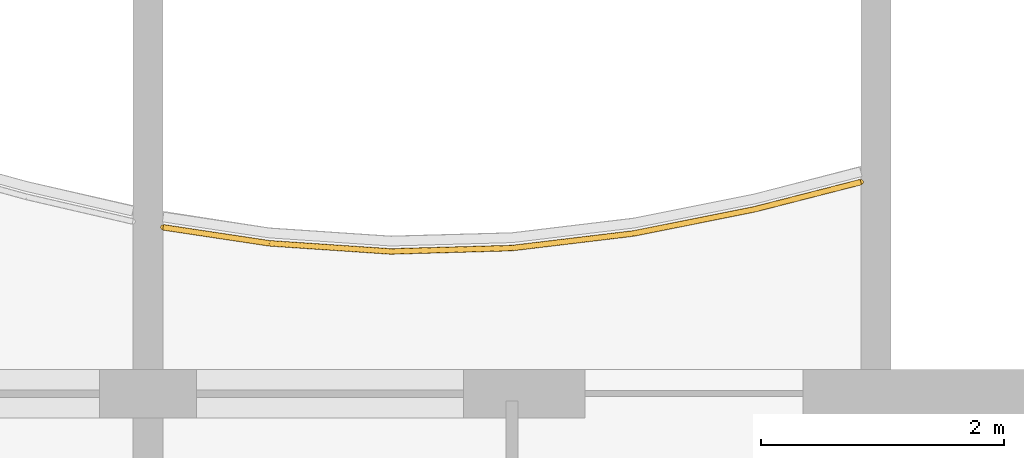
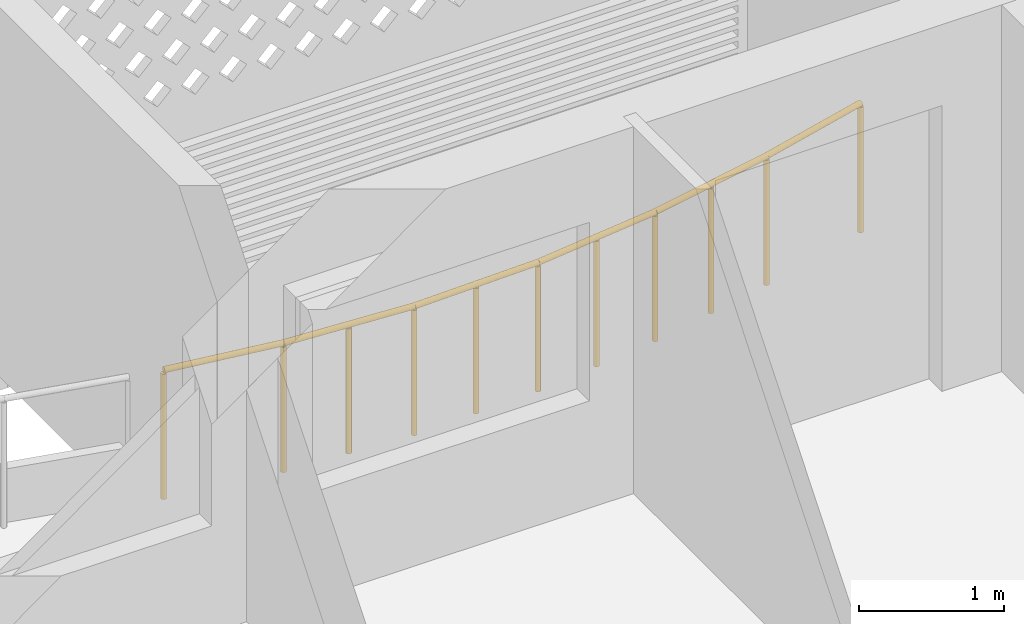
# One storey, part 25 of 26: 1 railing.
"""IFC4 building model written with IfcOpenShell, lengths in metres."""

from ifc_helpers import new_model, si_unit, direction, frame, origin, origin_2d, place, context, subcontext, project, spatial, circle, extrude, material, type_object, element, save


model = new_model("IFC4")

# Units and contexts
model_context = context("Model", 3, precision=1e-05, world=origin(), true_north=direction((0.0, 1.0)))
body_context = subcontext(model_context, "Body", "Model", "MODEL_VIEW")
ifc_project = project(units=[si_unit("LENGTHUNIT", "METRE"), si_unit("AREAUNIT", "SQUARE_METRE"), si_unit("VOLUMEUNIT", "CUBIC_METRE"), si_unit("PLANEANGLEUNIT", "RADIAN"), si_unit("MASSUNIT", "GRAM", prefix="KILO")], contexts=[model_context])

# Site, building, storey
site_placement = place(None, origin())
site = spatial("IfcSite", under=ifc_project, at=site_placement, CompositionType="ELEMENT")
building_placement = place(site_placement, origin())
building = spatial("IfcBuilding", under=site, at=building_placement, Name="Poui Terraces", CompositionType="ELEMENT")
storey_placement = place(building_placement, frame((0.0, 0.0, 178.5)))
storey = spatial("IfcBuildingStorey", under=building, at=storey_placement, Name="L49", CompositionType="ELEMENT", Elevation=178.5)

# Railing
ifc_material = material(Name="Painted steel fretwork", Category="steel")
railing_type = type_object("IfcRailingType", Name="BALCONY GUARD 1100", PredefinedType="GUARDRAIL", material=ifc_material)
railing_placement = place(storey_placement, frame((72.125, 42.57080078125, 0.0)))
element("IfcRailing", 1, at=railing_placement, inside=storey, type_object=railing_type, Name="BALCONY GUARD", PredefinedType="GUARDRAIL", context=body_context, shape_type="SweptSolid", body=[
    extrude(circle(Radius=0.02392578125, at=origin_2d()), frame((0.0, 0.0, 1.076171875), z_axis=(0.988879613557, -0.148718223133, 0.0), x_axis=(0.148718223133, 0.988879613557, 0.0)), (0.0, 0.0, 1.0), 0.884765625),
    extrude(circle(Radius=0.02392578125, at=origin_2d()), frame((0.875, -0.131591796875, 1.076171875), z_axis=(0.997753790287, -0.066987864338, 0.0), x_axis=(0.066987864338, 0.997753790287, 0.0)), (0.0, 0.0, 1.0), 1.002197265625),
    extrude(circle(Radius=0.02392578125, at=origin_2d()), frame((1.875, -0.19873046875, 1.076171875), z_axis=(0.999612913888, 0.027821257857, 0.0), x_axis=(-0.027821257857, 0.999612913888, 0.0)), (0.0, 0.0, 1.0), 1.00048828125),
    extrude(circle(Radius=0.02392578125, at=origin_2d()), frame((2.875, -0.1708984375, 1.076171875), z_axis=(0.992863067926, 0.119259919292, 0.0), x_axis=(-0.119259919292, 0.992863067926, 0.0)), (0.0, 0.0, 1.0), 1.007080078125),
    extrude(circle(Radius=0.02392578125, at=origin_2d()), frame((3.875, -0.05078125, 1.076171875), z_axis=(0.980635885947, 0.19583988152, 0.0), x_axis=(-0.19583988152, 0.980635885947, 0.0)), (0.0, 0.0, 1.0), 1.019775390625),
    extrude(circle(Radius=0.02392578125, at=origin_2d()), frame((4.875, 0.14892578125, 1.076171875), z_axis=(0.968727197282, 0.248128227429, 0.0), x_axis=(-0.248128227429, 0.968727197282, 0.0)), (0.0, 0.0, 1.0), 0.9033203125),
    extrude(circle(Radius=0.02099609375, at=origin_2d()), origin(), (0.0, 0.0, 1.0), 1.052001953125),
    extrude(circle(Radius=0.02099609375, at=origin_2d()), frame((0.875, -0.131591796875, 0.0)), (0.0, 0.0, 1.0), 1.052001953125),
    extrude(circle(Radius=0.02099609375, at=origin_2d()), frame((1.375, -0.1650390625, 0.0)), (0.0, 0.0, 1.0), 1.052001953125),
    extrude(circle(Radius=0.02099609375, at=origin_2d()), frame((1.875, -0.19873046875, 0.0)), (0.0, 0.0, 1.0), 1.052001953125),
    extrude(circle(Radius=0.02099609375, at=origin_2d()), frame((2.375, -0.184814453125, 0.0)), (0.0, 0.0, 1.0), 1.052001953125),
    extrude(circle(Radius=0.02099609375, at=origin_2d()), frame((2.875, -0.1708984375, 0.0)), (0.0, 0.0, 1.0), 1.052001953125),
    extrude(circle(Radius=0.02099609375, at=origin_2d()), frame((3.375, -0.11083984375, 0.0)), (0.0, 0.0, 1.0), 1.052001953125),
    extrude(circle(Radius=0.02099609375, at=origin_2d()), frame((3.875, -0.05078125, 0.0)), (0.0, 0.0, 1.0), 1.052001953125),
    extrude(circle(Radius=0.02099609375, at=origin_2d()), frame((4.375, 0.049072265625, 0.0)), (0.0, 0.0, 1.0), 1.052001953125),
    extrude(circle(Radius=0.02099609375, at=origin_2d()), frame((4.875, 0.14892578125, 0.0)), (0.0, 0.0, 1.0), 1.052001953125),
    extrude(circle(Radius=0.02099609375, at=origin_2d()), frame((5.75, 0.373046875, 0.0)), (0.0, 0.0, 1.0), 1.052001953125),
])

save(model, "model.ifc")
